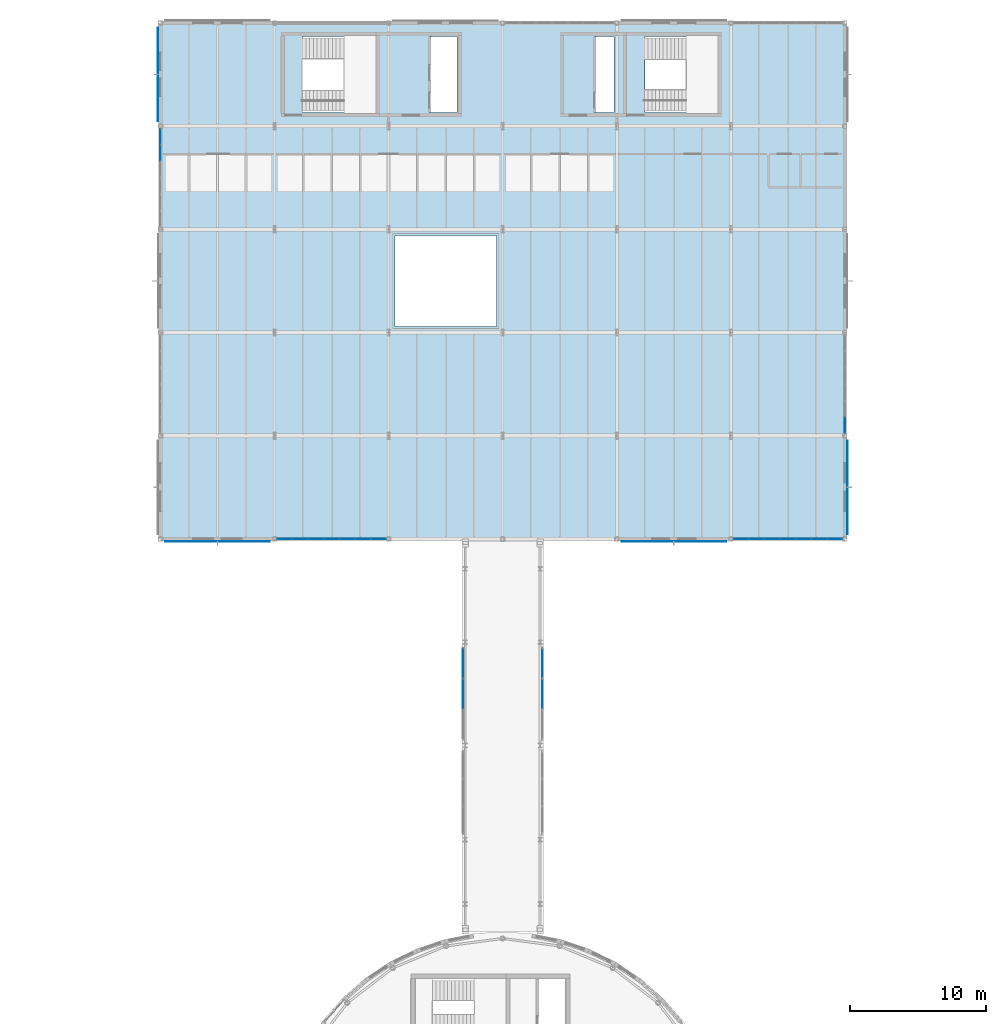
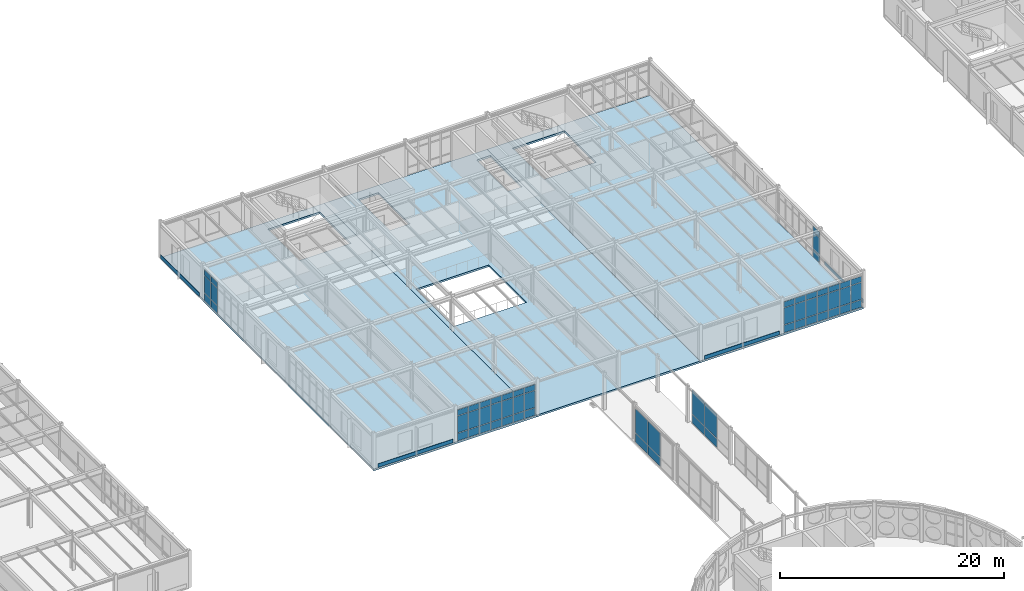
# One storey, part 127 of 165: 63 plates, 3 slabs, 6 elements without a shape of their own.
"""IFC4 building model written with IfcOpenShell, lengths in metres."""

from ifc_helpers import new_model, si_unit, direction, frame, origin, origin_2d, place, context, subcontext, project, spatial, polyline, rectangle, outline, extrude, material, layer, layer_set, type_object, element, aggregate, save


model = new_model("IFC4")

# Units and contexts
model_context = context("Model", 3, precision=1e-05, world=origin(), true_north=direction((0.0, 1.0)))
body_context = subcontext(model_context, "Body", "Model", "MODEL_VIEW")
ifc_project = project(units=[si_unit("LENGTHUNIT", "METRE"), si_unit("AREAUNIT", "SQUARE_METRE"), si_unit("VOLUMEUNIT", "CUBIC_METRE"), si_unit("PLANEANGLEUNIT", "RADIAN"), si_unit("MASSUNIT", "GRAM", prefix="KILO")], contexts=[model_context])

# Site, building, storey
site_placement = place(None, origin())
site = spatial("IfcSite", under=ifc_project, at=site_placement, CompositionType="ELEMENT")
building_placement = place(site_placement, origin())
building = spatial("IfcBuilding", under=site, at=building_placement, Name="Montecoro Central Library", CompositionType="ELEMENT")
storey_placement = place(building_placement, frame((0.0, 0.0, 5.10009765625)))
storey = spatial("IfcBuildingStorey", under=building, at=storey_placement, Name="L01", CompositionType="ELEMENT", Elevation=5.10009765625)

# Curtain wall, plates
ifc_material_1 = material(Name="Bronze-anodised aluminium and low-E glazing", Category="aluminium")
ifc_layer_1 = layer(ifc_material_1, 0.159912109375)
ifc_layer_set_1 = layer_set([ifc_layer_1], Name="Bronze-anodised aluminium and low-E glazing")
curtain_wall_type_1 = type_object("IfcCurtainWallType", Name="CWT-013", PredefinedType="NOTDEFINED", material=ifc_layer_set_1)
curtain_wall_1_placement = place(storey_placement, origin())
curtain_wall_1 = element("IfcCurtainWall", 1, at=curtain_wall_1_placement, inside=storey, type_object=curtain_wall_type_1, Name="V2-L01-CW-W3", PredefinedType="NOTDEFINED")
ifc_material_2 = material(Name="Laminated low-E double glazing", Category="glass")
ifc_layer_2 = layer(ifc_material_2, 0.02587890625)
ifc_layer_set_2 = layer_set([ifc_layer_2], Name="Laminated low-E double glazing")
plate_type_1 = type_object("IfcPlateType", Name="CWP-GLZ-01", PredefinedType="CURTAIN_PANEL", material=ifc_layer_set_2)
plate_1_placement = place(storey_placement, frame((66.39990234375, 110.624267578125, 0.059814453125), z_axis=(0.0, 0.0, 1.0), x_axis=(0.0, -1.0, 0.0)))
plate_1 = element("IfcPlate", 2, at=plate_1_placement, type_object=plate_type_1, Name="CW-013 panel 1.1", PredefinedType="CURTAIN_PANEL", context=body_context, shape_type="SweptSolid", body=[
    extrude(rectangle(XDim=1.125732421875, YDim=0.02587890625, at=origin_2d()), origin(), (0.0, 0.0, 1.0), 0.81005859375),
])
plate_2_placement = place(storey_placement, frame((66.39990234375, 110.624267578125, 0.9296875), z_axis=(0.0, 0.0, 1.0), x_axis=(0.0, -1.0, 0.0)))
plate_2 = element("IfcPlate", 3, at=plate_2_placement, type_object=plate_type_1, Name="CW-013 panel 1.2", PredefinedType="CURTAIN_PANEL", context=body_context, shape_type="SweptSolid", body=[
    extrude(rectangle(XDim=1.125732421875, YDim=0.02587890625, at=origin_2d()), origin(), (0.0, 0.0, 1.0), 1.820068359375),
])
plate_3_placement = place(storey_placement, frame((66.39990234375, 110.624267578125, 2.81005859375), z_axis=(0.0, 0.0, 1.0), x_axis=(0.0, -1.0, 0.0)))
plate_3 = element("IfcPlate", 4, at=plate_3_placement, type_object=plate_type_1, Name="CW-013 panel 1.3", PredefinedType="CURTAIN_PANEL", context=body_context, shape_type="SweptSolid", body=[
    extrude(rectangle(XDim=1.125732421875, YDim=0.02587890625, at=origin_2d()), origin(), (0.0, 0.0, 1.0), 0.610107421875),
])
plate_4_placement = place(storey_placement, frame((66.39990234375, 109.423583984375, 0.059814453125), z_axis=(0.0, 0.0, 1.0), x_axis=(0.0, -1.0, 0.0)))
plate_4 = element("IfcPlate", 5, at=plate_4_placement, type_object=plate_type_1, Name="CW-013 panel 2.1", PredefinedType="CURTAIN_PANEL", context=body_context, shape_type="SweptSolid", body=[
    extrude(rectangle(XDim=1.15576171875, YDim=0.02587890625, at=origin_2d()), origin(), (0.0, 0.0, 1.0), 0.81005859375),
])
plate_5_placement = place(storey_placement, frame((66.39990234375, 109.423583984375, 0.9296875), z_axis=(0.0, 0.0, 1.0), x_axis=(0.0, -1.0, 0.0)))
plate_5 = element("IfcPlate", 6, at=plate_5_placement, type_object=plate_type_1, Name="CW-013 panel 2.2", PredefinedType="CURTAIN_PANEL", context=body_context, shape_type="SweptSolid", body=[
    extrude(rectangle(XDim=1.15576171875, YDim=0.02587890625, at=origin_2d()), origin(), (0.0, 0.0, 1.0), 1.820068359375),
])
plate_6_placement = place(storey_placement, frame((66.39990234375, 109.423583984375, 2.81005859375), z_axis=(0.0, 0.0, 1.0), x_axis=(0.0, -1.0, 0.0)))
plate_6 = element("IfcPlate", 7, at=plate_6_placement, type_object=plate_type_1, Name="CW-013 panel 2.3", PredefinedType="CURTAIN_PANEL", context=body_context, shape_type="SweptSolid", body=[
    extrude(rectangle(XDim=1.15576171875, YDim=0.02587890625, at=origin_2d()), origin(), (0.0, 0.0, 1.0), 0.610107421875),
])
aggregate(curtain_wall_1, [plate_1, plate_2, plate_3, plate_4, plate_5, plate_6])

ifc_layer_3 = layer(ifc_material_1, 0.159912109375)
ifc_layer_set_3 = layer_set([ifc_layer_3], Name="Bronze-anodised aluminium and low-E glazing")
curtain_wall_type_2 = type_object("IfcCurtainWallType", Name="CWT-076", PredefinedType="NOTDEFINED", material=ifc_layer_set_3)
curtain_wall_2_placement = place(storey_placement, origin())
curtain_wall_2 = element("IfcCurtainWall", 8, at=curtain_wall_2_placement, inside=storey, type_object=curtain_wall_type_2, Name="BR-N-L01-CW-W2", PredefinedType="NOTDEFINED")
plate_7_placement = place(storey_placement, frame((88.679931640625, 69.60009765625, 0.059814453125), z_axis=(0.0, 0.0, 1.0), x_axis=(0.0, 1.0, 0.0)))
plate_7 = element("IfcPlate", 9, at=plate_7_placement, type_object=plate_type_1, Name="CW-076 panel 2.1", PredefinedType="CURTAIN_PANEL", context=body_context, shape_type="SweptSolid", body=[
    extrude(rectangle(XDim=2.193359375, YDim=0.02587890625, at=origin_2d()), origin(), (0.0, 0.0, 1.0), 0.9599609375),
])
plate_8_placement = place(storey_placement, frame((88.679931640625, 69.60009765625, 1.080078125), z_axis=(0.0, 0.0, 1.0), x_axis=(0.0, 1.0, 0.0)))
plate_8 = element("IfcPlate", 10, at=plate_8_placement, type_object=plate_type_1, Name="CW-076 panel 2.2", PredefinedType="CURTAIN_PANEL", context=body_context, shape_type="SweptSolid", body=[
    extrude(rectangle(XDim=2.193359375, YDim=0.02587890625, at=origin_2d()), origin(), (0.0, 0.0, 1.0), 2.590087890625),
])
plate_9_placement = place(storey_placement, frame((88.679931640625, 71.83837890625, 0.059814453125), z_axis=(0.0, 0.0, 1.0), x_axis=(0.0, 1.0, 0.0)))
plate_9 = element("IfcPlate", 11, at=plate_9_placement, type_object=plate_type_1, Name="CW-076 panel 3.1", PredefinedType="CURTAIN_PANEL", context=body_context, shape_type="SweptSolid", body=[
    extrude(rectangle(XDim=2.163330078125, YDim=0.02587890625, at=origin_2d()), origin(), (0.0, 0.0, 1.0), 0.9599609375),
])
plate_10_placement = place(storey_placement, frame((88.679931640625, 71.83837890625, 1.080078125), z_axis=(0.0, 0.0, 1.0), x_axis=(0.0, 1.0, 0.0)))
plate_10 = element("IfcPlate", 12, at=plate_10_placement, type_object=plate_type_1, Name="CW-076 panel 3.2", PredefinedType="CURTAIN_PANEL", context=body_context, shape_type="SweptSolid", body=[
    extrude(rectangle(XDim=2.163330078125, YDim=0.02587890625, at=origin_2d()), origin(), (0.0, 0.0, 1.0), 2.590087890625),
])
aggregate(curtain_wall_2, [plate_7, plate_8, plate_9, plate_10])

curtain_wall_3_placement = place(storey_placement, origin())
curtain_wall_3 = element("IfcCurtainWall", 13, at=curtain_wall_3_placement, inside=storey, type_object=curtain_wall_type_2, Name="BR-N-L01-CW-E2", PredefinedType="NOTDEFINED")
plate_11_placement = place(storey_placement, frame((94.52001953125, 69.60009765625, 0.059814453125), z_axis=(0.0, 0.0, 1.0), x_axis=(0.0, 1.0, 0.0)))
plate_11 = element("IfcPlate", 14, at=plate_11_placement, type_object=plate_type_1, Name="CW-076 panel 2.1", PredefinedType="CURTAIN_PANEL", context=body_context, shape_type="SweptSolid", body=[
    extrude(rectangle(XDim=2.193359375, YDim=0.02587890625, at=origin_2d()), origin(), (0.0, 0.0, 1.0), 0.9599609375),
])
plate_12_placement = place(storey_placement, frame((94.52001953125, 69.60009765625, 1.080078125), z_axis=(0.0, 0.0, 1.0), x_axis=(0.0, 1.0, 0.0)))
plate_12 = element("IfcPlate", 15, at=plate_12_placement, type_object=plate_type_1, Name="CW-076 panel 2.2", PredefinedType="CURTAIN_PANEL", context=body_context, shape_type="SweptSolid", body=[
    extrude(rectangle(XDim=2.193359375, YDim=0.02587890625, at=origin_2d()), origin(), (0.0, 0.0, 1.0), 2.590087890625),
])
plate_13_placement = place(storey_placement, frame((94.52001953125, 71.83837890625, 0.059814453125), z_axis=(0.0, 0.0, 1.0), x_axis=(0.0, 1.0, 0.0)))
plate_13 = element("IfcPlate", 16, at=plate_13_placement, type_object=plate_type_1, Name="CW-076 panel 3.1", PredefinedType="CURTAIN_PANEL", context=body_context, shape_type="SweptSolid", body=[
    extrude(rectangle(XDim=2.163330078125, YDim=0.02587890625, at=origin_2d()), origin(), (0.0, 0.0, 1.0), 0.9599609375),
])
plate_14_placement = place(storey_placement, frame((94.52001953125, 71.83837890625, 1.080078125), z_axis=(0.0, 0.0, 1.0), x_axis=(0.0, 1.0, 0.0)))
plate_14 = element("IfcPlate", 17, at=plate_14_placement, type_object=plate_type_1, Name="CW-076 panel 3.2", PredefinedType="CURTAIN_PANEL", context=body_context, shape_type="SweptSolid", body=[
    extrude(rectangle(XDim=2.163330078125, YDim=0.02587890625, at=origin_2d()), origin(), (0.0, 0.0, 1.0), 2.590087890625),
])
aggregate(curtain_wall_3, [plate_11, plate_12, plate_13, plate_14])

ifc_layer_4 = layer(ifc_material_1, 0.159912109375)
ifc_layer_set_4 = layer_set([ifc_layer_4], Name="Bronze-anodised aluminium and low-E glazing")
curtain_wall_type_3 = type_object("IfcCurtainWallType", Name="CWT-010", PredefinedType="NOTDEFINED", material=ifc_layer_set_4)
curtain_wall_4_placement = place(storey_placement, origin())
curtain_wall_4 = element("IfcCurtainWall", 18, at=curtain_wall_4_placement, inside=storey, type_object=curtain_wall_type_3, Name="V2-L01-CW-S5", PredefinedType="NOTDEFINED")
ifc_layer_5 = layer(ifc_material_2, 0.033935546875)
ifc_layer_set_5 = layer_set([ifc_layer_5], Name="Laminated low-E double glazing")
plate_type_2 = type_object("IfcPlateType", Name="CWP-GLZ-03", PredefinedType="CURTAIN_PANEL", material=ifc_layer_set_5)
plate_15_placement = place(storey_placement, frame((109.146240234375, 81.0, 0.059814453125), z_axis=(0.0, 0.0, 1.0), x_axis=(1.0, 0.0, 0.0)))
plate_15 = element("IfcPlate", 19, at=plate_15_placement, type_object=plate_type_2, Name="CW-010 panel 1.1", PredefinedType="CURTAIN_PANEL", context=body_context, shape_type="SweptSolid", body=[
    extrude(rectangle(XDim=1.06640625, YDim=0.033935546875, at=origin_2d()), origin(), (0.0, 0.0, 1.0), 0.81005859375),
])
plate_16_placement = place(storey_placement, frame((109.146240234375, 81.0, 0.9296875), z_axis=(0.0, 0.0, 1.0), x_axis=(1.0, 0.0, 0.0)))
plate_16 = element("IfcPlate", 20, at=plate_16_placement, type_object=plate_type_2, Name="CW-010 panel 1.2", PredefinedType="CURTAIN_PANEL", context=body_context, shape_type="SweptSolid", body=[
    extrude(rectangle(XDim=1.06640625, YDim=0.033935546875, at=origin_2d()), origin(), (0.0, 0.0, 1.0), 1.820068359375),
])
plate_17_placement = place(storey_placement, frame((109.146240234375, 81.0, 2.81005859375), z_axis=(0.0, 0.0, 1.0), x_axis=(1.0, 0.0, 0.0)))
plate_17 = element("IfcPlate", 21, at=plate_17_placement, type_object=plate_type_2, Name="CW-010 panel 1.3", PredefinedType="CURTAIN_PANEL", context=body_context, shape_type="SweptSolid", body=[
    extrude(rectangle(XDim=1.06640625, YDim=0.033935546875, at=origin_2d()), origin(), (0.0, 0.0, 1.0), 0.610107421875),
])
plate_18_placement = place(storey_placement, frame((110.287353515625, 81.0, 0.059814453125), z_axis=(0.0, 0.0, 1.0), x_axis=(1.0, 0.0, 0.0)))
plate_18 = element("IfcPlate", 22, at=plate_18_placement, type_object=plate_type_2, Name="CW-010 panel 2.1", PredefinedType="CURTAIN_PANEL", context=body_context, shape_type="SweptSolid", body=[
    extrude(rectangle(XDim=1.09619140625, YDim=0.033935546875, at=origin_2d()), origin(), (0.0, 0.0, 1.0), 0.81005859375),
])
plate_19_placement = place(storey_placement, frame((110.287353515625, 81.0, 0.9296875), z_axis=(0.0, 0.0, 1.0), x_axis=(1.0, 0.0, 0.0)))
plate_19 = element("IfcPlate", 23, at=plate_19_placement, type_object=plate_type_2, Name="CW-010 panel 2.2", PredefinedType="CURTAIN_PANEL", context=body_context, shape_type="SweptSolid", body=[
    extrude(rectangle(XDim=1.09619140625, YDim=0.033935546875, at=origin_2d()), origin(), (0.0, 0.0, 1.0), 1.820068359375),
])
plate_20_placement = place(storey_placement, frame((110.287353515625, 81.0, 2.81005859375), z_axis=(0.0, 0.0, 1.0), x_axis=(1.0, 0.0, 0.0)))
plate_20 = element("IfcPlate", 24, at=plate_20_placement, type_object=plate_type_2, Name="CW-010 panel 2.3", PredefinedType="CURTAIN_PANEL", context=body_context, shape_type="SweptSolid", body=[
    extrude(rectangle(XDim=1.09619140625, YDim=0.033935546875, at=origin_2d()), origin(), (0.0, 0.0, 1.0), 0.610107421875),
])
plate_21_placement = place(storey_placement, frame((111.443603515625, 81.0, 0.059814453125), z_axis=(0.0, 0.0, 1.0), x_axis=(1.0, 0.0, 0.0)))
plate_21 = element("IfcPlate", 25, at=plate_21_placement, type_object=plate_type_2, Name="CW-010 panel 3.1", PredefinedType="CURTAIN_PANEL", context=body_context, shape_type="SweptSolid", body=[
    extrude(rectangle(XDim=1.09619140625, YDim=0.033935546875, at=origin_2d()), origin(), (0.0, 0.0, 1.0), 0.81005859375),
])
plate_22_placement = place(storey_placement, frame((111.443603515625, 81.0, 0.9296875), z_axis=(0.0, 0.0, 1.0), x_axis=(1.0, 0.0, 0.0)))
plate_22 = element("IfcPlate", 26, at=plate_22_placement, type_object=plate_type_2, Name="CW-010 panel 3.2", PredefinedType="CURTAIN_PANEL", context=body_context, shape_type="SweptSolid", body=[
    extrude(rectangle(XDim=1.09619140625, YDim=0.033935546875, at=origin_2d()), origin(), (0.0, 0.0, 1.0), 1.820068359375),
])
plate_23_placement = place(storey_placement, frame((111.443603515625, 81.0, 2.81005859375), z_axis=(0.0, 0.0, 1.0), x_axis=(1.0, 0.0, 0.0)))
plate_23 = element("IfcPlate", 27, at=plate_23_placement, type_object=plate_type_2, Name="CW-010 panel 3.3", PredefinedType="CURTAIN_PANEL", context=body_context, shape_type="SweptSolid", body=[
    extrude(rectangle(XDim=1.09619140625, YDim=0.033935546875, at=origin_2d()), origin(), (0.0, 0.0, 1.0), 0.610107421875),
])
plate_24_placement = place(storey_placement, frame((112.60009765625, 81.0, 0.059814453125), z_axis=(0.0, 0.0, 1.0), x_axis=(1.0, 0.0, 0.0)))
plate_24 = element("IfcPlate", 28, at=plate_24_placement, type_object=plate_type_2, Name="CW-010 panel 4.1", PredefinedType="CURTAIN_PANEL", context=body_context, shape_type="SweptSolid", body=[
    extrude(rectangle(XDim=1.09619140625, YDim=0.033935546875, at=origin_2d()), origin(), (0.0, 0.0, 1.0), 0.81005859375),
])
plate_25_placement = place(storey_placement, frame((112.60009765625, 81.0, 0.9296875), z_axis=(0.0, 0.0, 1.0), x_axis=(1.0, 0.0, 0.0)))
plate_25 = element("IfcPlate", 29, at=plate_25_placement, type_object=plate_type_2, Name="CW-010 panel 4.2", PredefinedType="CURTAIN_PANEL", context=body_context, shape_type="SweptSolid", body=[
    extrude(rectangle(XDim=1.09619140625, YDim=0.033935546875, at=origin_2d()), origin(), (0.0, 0.0, 1.0), 1.820068359375),
])
plate_26_placement = place(storey_placement, frame((112.60009765625, 81.0, 2.81005859375), z_axis=(0.0, 0.0, 1.0), x_axis=(1.0, 0.0, 0.0)))
plate_26 = element("IfcPlate", 30, at=plate_26_placement, type_object=plate_type_2, Name="CW-010 panel 4.3", PredefinedType="CURTAIN_PANEL", context=body_context, shape_type="SweptSolid", body=[
    extrude(rectangle(XDim=1.09619140625, YDim=0.033935546875, at=origin_2d()), origin(), (0.0, 0.0, 1.0), 0.610107421875),
])
plate_27_placement = place(storey_placement, frame((113.75634765625, 81.0, 0.059814453125), z_axis=(0.0, 0.0, 1.0), x_axis=(1.0, 0.0, 0.0)))
plate_27 = element("IfcPlate", 31, at=plate_27_placement, type_object=plate_type_2, Name="CW-010 panel 5.1", PredefinedType="CURTAIN_PANEL", context=body_context, shape_type="SweptSolid", body=[
    extrude(rectangle(XDim=1.09619140625, YDim=0.033935546875, at=origin_2d()), origin(), (0.0, 0.0, 1.0), 0.81005859375),
])
plate_28_placement = place(storey_placement, frame((113.75634765625, 81.0, 0.9296875), z_axis=(0.0, 0.0, 1.0), x_axis=(1.0, 0.0, 0.0)))
plate_28 = element("IfcPlate", 32, at=plate_28_placement, type_object=plate_type_2, Name="CW-010 panel 5.2", PredefinedType="CURTAIN_PANEL", context=body_context, shape_type="SweptSolid", body=[
    extrude(rectangle(XDim=1.09619140625, YDim=0.033935546875, at=origin_2d()), origin(), (0.0, 0.0, 1.0), 1.820068359375),
])
plate_29_placement = place(storey_placement, frame((113.75634765625, 81.0, 2.81005859375), z_axis=(0.0, 0.0, 1.0), x_axis=(1.0, 0.0, 0.0)))
plate_29 = element("IfcPlate", 33, at=plate_29_placement, type_object=plate_type_2, Name="CW-010 panel 5.3", PredefinedType="CURTAIN_PANEL", context=body_context, shape_type="SweptSolid", body=[
    extrude(rectangle(XDim=1.09619140625, YDim=0.033935546875, at=origin_2d()), origin(), (0.0, 0.0, 1.0), 0.610107421875),
])
plate_30_placement = place(storey_placement, frame((114.91259765625, 81.0, 0.059814453125), z_axis=(0.0, 0.0, 1.0), x_axis=(1.0, 0.0, 0.0)))
plate_30 = element("IfcPlate", 34, at=plate_30_placement, type_object=plate_type_2, Name="CW-010 panel 6.1", PredefinedType="CURTAIN_PANEL", context=body_context, shape_type="SweptSolid", body=[
    extrude(rectangle(XDim=1.09619140625, YDim=0.033935546875, at=origin_2d()), origin(), (0.0, 0.0, 1.0), 0.81005859375),
])
plate_31_placement = place(storey_placement, frame((114.91259765625, 81.0, 0.9296875), z_axis=(0.0, 0.0, 1.0), x_axis=(1.0, 0.0, 0.0)))
plate_31 = element("IfcPlate", 35, at=plate_31_placement, type_object=plate_type_2, Name="CW-010 panel 6.2", PredefinedType="CURTAIN_PANEL", context=body_context, shape_type="SweptSolid", body=[
    extrude(rectangle(XDim=1.09619140625, YDim=0.033935546875, at=origin_2d()), origin(), (0.0, 0.0, 1.0), 1.820068359375),
])
plate_32_placement = place(storey_placement, frame((114.91259765625, 81.0, 2.81005859375), z_axis=(0.0, 0.0, 1.0), x_axis=(1.0, 0.0, 0.0)))
plate_32 = element("IfcPlate", 36, at=plate_32_placement, type_object=plate_type_2, Name="CW-010 panel 6.3", PredefinedType="CURTAIN_PANEL", context=body_context, shape_type="SweptSolid", body=[
    extrude(rectangle(XDim=1.09619140625, YDim=0.033935546875, at=origin_2d()), origin(), (0.0, 0.0, 1.0), 0.610107421875),
])
plate_33_placement = place(storey_placement, frame((116.053955078125, 81.0, 0.059814453125), z_axis=(0.0, 0.0, 1.0), x_axis=(1.0, 0.0, 0.0)))
plate_33 = element("IfcPlate", 37, at=plate_33_placement, type_object=plate_type_2, Name="CW-010 panel 7.1", PredefinedType="CURTAIN_PANEL", context=body_context, shape_type="SweptSolid", body=[
    extrude(rectangle(XDim=1.06640625, YDim=0.033935546875, at=origin_2d()), origin(), (0.0, 0.0, 1.0), 0.81005859375),
])
plate_34_placement = place(storey_placement, frame((116.053955078125, 81.0, 0.9296875), z_axis=(0.0, 0.0, 1.0), x_axis=(1.0, 0.0, 0.0)))
plate_34 = element("IfcPlate", 38, at=plate_34_placement, type_object=plate_type_2, Name="CW-010 panel 7.2", PredefinedType="CURTAIN_PANEL", context=body_context, shape_type="SweptSolid", body=[
    extrude(rectangle(XDim=1.06640625, YDim=0.033935546875, at=origin_2d()), origin(), (0.0, 0.0, 1.0), 1.820068359375),
])
plate_35_placement = place(storey_placement, frame((116.053955078125, 81.0, 2.81005859375), z_axis=(0.0, 0.0, 1.0), x_axis=(1.0, 0.0, 0.0)))
plate_35 = element("IfcPlate", 39, at=plate_35_placement, type_object=plate_type_2, Name="CW-010 panel 7.3", PredefinedType="CURTAIN_PANEL", context=body_context, shape_type="SweptSolid", body=[
    extrude(rectangle(XDim=1.06640625, YDim=0.033935546875, at=origin_2d()), origin(), (0.0, 0.0, 1.0), 0.610107421875),
])
aggregate(curtain_wall_4, [plate_15, plate_16, plate_17, plate_18, plate_19, plate_20, plate_21, plate_22, plate_23, plate_24, plate_25, plate_26, plate_27, plate_28, plate_29, plate_30, plate_31, plate_32, plate_33, plate_34, plate_35])

curtain_wall_5_placement = place(storey_placement, origin())
curtain_wall_5 = element("IfcCurtainWall", 40, at=curtain_wall_5_placement, inside=storey, type_object=curtain_wall_type_3, Name="V2-L01-CW-S1", PredefinedType="NOTDEFINED")
ifc_layer_6 = layer(ifc_material_2, 0.0380859375)
ifc_layer_set_6 = layer_set([ifc_layer_6], Name="Laminated low-E double glazing")
plate_type_3 = type_object("IfcPlateType", Name="CWP-GLZ-04", PredefinedType="CURTAIN_PANEL", material=ifc_layer_set_6)
plate_36_placement = place(storey_placement, frame((75.546142578125, 81.0, 0.059814453125), z_axis=(0.0, 0.0, 1.0), x_axis=(1.0, 0.0, 0.0)))
plate_36 = element("IfcPlate", 41, at=plate_36_placement, type_object=plate_type_3, Name="CW-010 panel 1.1", PredefinedType="CURTAIN_PANEL", context=body_context, shape_type="SweptSolid", body=[
    extrude(rectangle(XDim=1.06640625, YDim=0.0380859375, at=origin_2d()), origin(), (0.0, 0.0, 1.0), 0.81005859375),
])
plate_37_placement = place(storey_placement, frame((75.546142578125, 81.0, 0.9296875), z_axis=(0.0, 0.0, 1.0), x_axis=(1.0, 0.0, 0.0)))
plate_37 = element("IfcPlate", 42, at=plate_37_placement, type_object=plate_type_3, Name="CW-010 panel 1.2", PredefinedType="CURTAIN_PANEL", context=body_context, shape_type="SweptSolid", body=[
    extrude(rectangle(XDim=1.06640625, YDim=0.0380859375, at=origin_2d()), origin(), (0.0, 0.0, 1.0), 1.820068359375),
])
plate_38_placement = place(storey_placement, frame((75.546142578125, 81.0, 2.81005859375), z_axis=(0.0, 0.0, 1.0), x_axis=(1.0, 0.0, 0.0)))
plate_38 = element("IfcPlate", 43, at=plate_38_placement, type_object=plate_type_3, Name="CW-010 panel 1.3", PredefinedType="CURTAIN_PANEL", context=body_context, shape_type="SweptSolid", body=[
    extrude(rectangle(XDim=1.06640625, YDim=0.0380859375, at=origin_2d()), origin(), (0.0, 0.0, 1.0), 0.610107421875),
])
plate_39_placement = place(storey_placement, frame((76.6875, 81.0, 0.059814453125), z_axis=(0.0, 0.0, 1.0), x_axis=(1.0, 0.0, 0.0)))
plate_39 = element("IfcPlate", 44, at=plate_39_placement, type_object=plate_type_3, Name="CW-010 panel 2.1", PredefinedType="CURTAIN_PANEL", context=body_context, shape_type="SweptSolid", body=[
    extrude(rectangle(XDim=1.09619140625, YDim=0.0380859375, at=origin_2d()), origin(), (0.0, 0.0, 1.0), 0.81005859375),
])
plate_40_placement = place(storey_placement, frame((76.6875, 81.0, 0.9296875), z_axis=(0.0, 0.0, 1.0), x_axis=(1.0, 0.0, 0.0)))
plate_40 = element("IfcPlate", 45, at=plate_40_placement, type_object=plate_type_3, Name="CW-010 panel 2.2", PredefinedType="CURTAIN_PANEL", context=body_context, shape_type="SweptSolid", body=[
    extrude(rectangle(XDim=1.09619140625, YDim=0.0380859375, at=origin_2d()), origin(), (0.0, 0.0, 1.0), 1.820068359375),
])
plate_41_placement = place(storey_placement, frame((76.6875, 81.0, 2.81005859375), z_axis=(0.0, 0.0, 1.0), x_axis=(1.0, 0.0, 0.0)))
plate_41 = element("IfcPlate", 46, at=plate_41_placement, type_object=plate_type_3, Name="CW-010 panel 2.3", PredefinedType="CURTAIN_PANEL", context=body_context, shape_type="SweptSolid", body=[
    extrude(rectangle(XDim=1.09619140625, YDim=0.0380859375, at=origin_2d()), origin(), (0.0, 0.0, 1.0), 0.610107421875),
])
plate_42_placement = place(storey_placement, frame((77.84375, 81.0, 0.059814453125), z_axis=(0.0, 0.0, 1.0), x_axis=(1.0, 0.0, 0.0)))
plate_42 = element("IfcPlate", 47, at=plate_42_placement, type_object=plate_type_3, Name="CW-010 panel 3.1", PredefinedType="CURTAIN_PANEL", context=body_context, shape_type="SweptSolid", body=[
    extrude(rectangle(XDim=1.09619140625, YDim=0.0380859375, at=origin_2d()), origin(), (0.0, 0.0, 1.0), 0.81005859375),
])
plate_43_placement = place(storey_placement, frame((77.84375, 81.0, 0.9296875), z_axis=(0.0, 0.0, 1.0), x_axis=(1.0, 0.0, 0.0)))
plate_43 = element("IfcPlate", 48, at=plate_43_placement, type_object=plate_type_3, Name="CW-010 panel 3.2", PredefinedType="CURTAIN_PANEL", context=body_context, shape_type="SweptSolid", body=[
    extrude(rectangle(XDim=1.09619140625, YDim=0.0380859375, at=origin_2d()), origin(), (0.0, 0.0, 1.0), 1.820068359375),
])
plate_44_placement = place(storey_placement, frame((77.84375, 81.0, 2.81005859375), z_axis=(0.0, 0.0, 1.0), x_axis=(1.0, 0.0, 0.0)))
plate_44 = element("IfcPlate", 49, at=plate_44_placement, type_object=plate_type_3, Name="CW-010 panel 3.3", PredefinedType="CURTAIN_PANEL", context=body_context, shape_type="SweptSolid", body=[
    extrude(rectangle(XDim=1.09619140625, YDim=0.0380859375, at=origin_2d()), origin(), (0.0, 0.0, 1.0), 0.610107421875),
])
plate_45_placement = place(storey_placement, frame((79.0, 81.0, 0.059814453125), z_axis=(0.0, 0.0, 1.0), x_axis=(1.0, 0.0, 0.0)))
plate_45 = element("IfcPlate", 50, at=plate_45_placement, type_object=plate_type_3, Name="CW-010 panel 4.1", PredefinedType="CURTAIN_PANEL", context=body_context, shape_type="SweptSolid", body=[
    extrude(rectangle(XDim=1.09619140625, YDim=0.0380859375, at=origin_2d()), origin(), (0.0, 0.0, 1.0), 0.81005859375),
])
plate_46_placement = place(storey_placement, frame((79.0, 81.0, 0.9296875), z_axis=(0.0, 0.0, 1.0), x_axis=(1.0, 0.0, 0.0)))
plate_46 = element("IfcPlate", 51, at=plate_46_placement, type_object=plate_type_3, Name="CW-010 panel 4.2", PredefinedType="CURTAIN_PANEL", context=body_context, shape_type="SweptSolid", body=[
    extrude(rectangle(XDim=1.09619140625, YDim=0.0380859375, at=origin_2d()), origin(), (0.0, 0.0, 1.0), 1.820068359375),
])
plate_47_placement = place(storey_placement, frame((79.0, 81.0, 2.81005859375), z_axis=(0.0, 0.0, 1.0), x_axis=(1.0, 0.0, 0.0)))
plate_47 = element("IfcPlate", 52, at=plate_47_placement, type_object=plate_type_3, Name="CW-010 panel 4.3", PredefinedType="CURTAIN_PANEL", context=body_context, shape_type="SweptSolid", body=[
    extrude(rectangle(XDim=1.09619140625, YDim=0.0380859375, at=origin_2d()), origin(), (0.0, 0.0, 1.0), 0.610107421875),
])
plate_48_placement = place(storey_placement, frame((80.15625, 81.0, 0.059814453125), z_axis=(0.0, 0.0, 1.0), x_axis=(1.0, 0.0, 0.0)))
plate_48 = element("IfcPlate", 53, at=plate_48_placement, type_object=plate_type_3, Name="CW-010 panel 5.1", PredefinedType="CURTAIN_PANEL", context=body_context, shape_type="SweptSolid", body=[
    extrude(rectangle(XDim=1.09619140625, YDim=0.0380859375, at=origin_2d()), origin(), (0.0, 0.0, 1.0), 0.81005859375),
])
plate_49_placement = place(storey_placement, frame((80.15625, 81.0, 0.9296875), z_axis=(0.0, 0.0, 1.0), x_axis=(1.0, 0.0, 0.0)))
plate_49 = element("IfcPlate", 54, at=plate_49_placement, type_object=plate_type_3, Name="CW-010 panel 5.2", PredefinedType="CURTAIN_PANEL", context=body_context, shape_type="SweptSolid", body=[
    extrude(rectangle(XDim=1.09619140625, YDim=0.0380859375, at=origin_2d()), origin(), (0.0, 0.0, 1.0), 1.820068359375),
])
plate_50_placement = place(storey_placement, frame((80.15625, 81.0, 2.81005859375), z_axis=(0.0, 0.0, 1.0), x_axis=(1.0, 0.0, 0.0)))
plate_50 = element("IfcPlate", 55, at=plate_50_placement, type_object=plate_type_3, Name="CW-010 panel 5.3", PredefinedType="CURTAIN_PANEL", context=body_context, shape_type="SweptSolid", body=[
    extrude(rectangle(XDim=1.09619140625, YDim=0.0380859375, at=origin_2d()), origin(), (0.0, 0.0, 1.0), 0.610107421875),
])
plate_51_placement = place(storey_placement, frame((81.3125, 81.0, 0.059814453125), z_axis=(0.0, 0.0, 1.0), x_axis=(1.0, 0.0, 0.0)))
plate_51 = element("IfcPlate", 56, at=plate_51_placement, type_object=plate_type_3, Name="CW-010 panel 6.1", PredefinedType="CURTAIN_PANEL", context=body_context, shape_type="SweptSolid", body=[
    extrude(rectangle(XDim=1.09619140625, YDim=0.0380859375, at=origin_2d()), origin(), (0.0, 0.0, 1.0), 0.81005859375),
])
plate_52_placement = place(storey_placement, frame((81.3125, 81.0, 0.9296875), z_axis=(0.0, 0.0, 1.0), x_axis=(1.0, 0.0, 0.0)))
plate_52 = element("IfcPlate", 57, at=plate_52_placement, type_object=plate_type_3, Name="CW-010 panel 6.2", PredefinedType="CURTAIN_PANEL", context=body_context, shape_type="SweptSolid", body=[
    extrude(rectangle(XDim=1.09619140625, YDim=0.0380859375, at=origin_2d()), origin(), (0.0, 0.0, 1.0), 1.820068359375),
])
plate_53_placement = place(storey_placement, frame((81.3125, 81.0, 2.81005859375), z_axis=(0.0, 0.0, 1.0), x_axis=(1.0, 0.0, 0.0)))
plate_53 = element("IfcPlate", 58, at=plate_53_placement, type_object=plate_type_3, Name="CW-010 panel 6.3", PredefinedType="CURTAIN_PANEL", context=body_context, shape_type="SweptSolid", body=[
    extrude(rectangle(XDim=1.09619140625, YDim=0.0380859375, at=origin_2d()), origin(), (0.0, 0.0, 1.0), 0.610107421875),
])
plate_54_placement = place(storey_placement, frame((82.453857421875, 81.0, 0.059814453125), z_axis=(0.0, 0.0, 1.0), x_axis=(1.0, 0.0, 0.0)))
plate_54 = element("IfcPlate", 59, at=plate_54_placement, type_object=plate_type_3, Name="CW-010 panel 7.1", PredefinedType="CURTAIN_PANEL", context=body_context, shape_type="SweptSolid", body=[
    extrude(rectangle(XDim=1.06640625, YDim=0.0380859375, at=origin_2d()), origin(), (0.0, 0.0, 1.0), 0.81005859375),
])
plate_55_placement = place(storey_placement, frame((82.453857421875, 81.0, 0.9296875), z_axis=(0.0, 0.0, 1.0), x_axis=(1.0, 0.0, 0.0)))
plate_55 = element("IfcPlate", 60, at=plate_55_placement, type_object=plate_type_3, Name="CW-010 panel 7.2", PredefinedType="CURTAIN_PANEL", context=body_context, shape_type="SweptSolid", body=[
    extrude(rectangle(XDim=1.06640625, YDim=0.0380859375, at=origin_2d()), origin(), (0.0, 0.0, 1.0), 1.820068359375),
])
plate_56_placement = place(storey_placement, frame((82.453857421875, 81.0, 2.81005859375), z_axis=(0.0, 0.0, 1.0), x_axis=(1.0, 0.0, 0.0)))
plate_56 = element("IfcPlate", 61, at=plate_56_placement, type_object=plate_type_3, Name="CW-010 panel 7.3", PredefinedType="CURTAIN_PANEL", context=body_context, shape_type="SweptSolid", body=[
    extrude(rectangle(XDim=1.06640625, YDim=0.0380859375, at=origin_2d()), origin(), (0.0, 0.0, 1.0), 0.610107421875),
])
aggregate(curtain_wall_5, [plate_36, plate_37, plate_38, plate_39, plate_40, plate_41, plate_42, plate_43, plate_44, plate_45, plate_46, plate_47, plate_48, plate_49, plate_50, plate_51, plate_52, plate_53, plate_54, plate_55, plate_56])

ifc_layer_7 = layer(ifc_material_1, 0.159912109375)
ifc_layer_set_7 = layer_set([ifc_layer_7], Name="Bronze-anodised aluminium and low-E glazing")
curtain_wall_type_4 = type_object("IfcCurtainWallType", Name="CWT-011", PredefinedType="NOTDEFINED", material=ifc_layer_set_7)
curtain_wall_6_placement = place(storey_placement, origin())
curtain_wall_6 = element("IfcCurtainWall", 62, at=curtain_wall_6_placement, inside=storey, type_object=curtain_wall_type_4, Name="V2-L01-CW-E1", PredefinedType="NOTDEFINED")
plate_57_placement = place(storey_placement, frame((116.800048828125, 89.375732421875, 0.059814453125), z_axis=(0.0, 0.0, 1.0), x_axis=(0.0, 1.0, 0.0)))
plate_57 = element("IfcPlate", 63, at=plate_57_placement, type_object=plate_type_3, Name="CW-011 panel 1.1", PredefinedType="CURTAIN_PANEL", context=body_context, shape_type="SweptSolid", body=[
    extrude(rectangle(XDim=1.125732421875, YDim=0.0380859375, at=origin_2d()), origin(), (0.0, 0.0, 1.0), 0.81005859375),
])
plate_58_placement = place(storey_placement, frame((116.800048828125, 89.375732421875, 0.9296875), z_axis=(0.0, 0.0, 1.0), x_axis=(0.0, 1.0, 0.0)))
plate_58 = element("IfcPlate", 64, at=plate_58_placement, type_object=plate_type_3, Name="CW-011 panel 1.2", PredefinedType="CURTAIN_PANEL", context=body_context, shape_type="SweptSolid", body=[
    extrude(rectangle(XDim=1.125732421875, YDim=0.0380859375, at=origin_2d()), origin(), (0.0, 0.0, 1.0), 1.820068359375),
])
plate_59_placement = place(storey_placement, frame((116.800048828125, 89.375732421875, 2.81005859375), z_axis=(0.0, 0.0, 1.0), x_axis=(0.0, 1.0, 0.0)))
plate_59 = element("IfcPlate", 65, at=plate_59_placement, type_object=plate_type_3, Name="CW-011 panel 1.3", PredefinedType="CURTAIN_PANEL", context=body_context, shape_type="SweptSolid", body=[
    extrude(rectangle(XDim=1.125732421875, YDim=0.0380859375, at=origin_2d()), origin(), (0.0, 0.0, 1.0), 0.610107421875),
])
aggregate(curtain_wall_6, [plate_57, plate_58, plate_59])

# Plates
ifc_material_3 = material(Name="Architectural bronze spandrel plate", Category="aluminium")
ifc_layer_8 = layer(ifc_material_3, 0.035888671875)
ifc_layer_set_8 = layer_set([ifc_layer_8], Name="Architectural bronze spandrel plate")
plate_type_4 = type_object("IfcPlateType", Name="PLT-SPN-03", PredefinedType="SHEET", material=ifc_layer_set_8)
for number, where, z_axis, x_axis, name in (
    (66, (70.60009765625, 80.826904296875, 0.159912109375), (0.0, 0.0, 1.0), (1.0, 0.0, 0.0), "V2-L01-SPN-S0"),
    (67, (104.199951171875, 80.826904296875, 0.159912109375), (0.0, 0.0, 1.0), (1.0, 0.0, 0.0), "V2-L01-SPN-S4"),
):
    element("IfcPlate", number, at=place(storey_placement, frame(where, z_axis=z_axis, x_axis=x_axis)), inside=storey, type_object=plate_type_4, Name=name, PredefinedType="SHEET", context=body_context, shape_type="SweptSolid", body=[
        extrude(rectangle(XDim=7.694091796875, YDim=0.035888671875, at=origin_2d()), origin(), (0.0, 0.0, 1.0), 0.39990234375),
    ])
for number, where, z_axis, x_axis, name in (
    (68, (116.972900390625, 84.800048828125, 0.159912109375), (0.0, 0.0, 1.0), (0.0, 1.0, 0.0), "V2-L01-SPN-E0"),
    (69, (66.22705078125, 115.199951171875, 0.159912109375), (0.0, 0.0, 1.0), (0.0, -1.0, 0.0), "V2-L01-SPN-W4"),
):
    element("IfcPlate", number, at=place(storey_placement, frame(where, z_axis=z_axis, x_axis=x_axis)), inside=storey, type_object=plate_type_4, Name=name, PredefinedType="SHEET", context=body_context, shape_type="SweptSolid", body=[
        extrude(rectangle(XDim=6.89404296875, YDim=0.035888671875, at=origin_2d()), origin(), (0.0, 0.0, 1.0), 0.39990234375),
    ])

# Slabs
ifc_material_4 = material(Name="Concrete C32/40", Category="concrete")
ifc_layer_9 = layer(ifc_material_4, 0.205078125)
ifc_layer_set_9 = layer_set([ifc_layer_9], Name="Concrete C32/40")
slab_type = type_object("IfcSlabType", Name="SL-FLR-205", PredefinedType="FLOOR", material=ifc_layer_set_9)
slab_1_placement = place(storey_placement, frame((0.0, 0.0, -0.205078125)))
element("IfcSlab", 70, at=slab_1_placement, inside=storey, type_object=slab_type, Name="V2-L01-SL1", PredefinedType="FLOOR", context=body_context, shape_type="SweptSolid", body=[
    extrude(outline(polyline([(66.39990234375, 81.0), (83.199951171875, 81.0), (83.199951171875, 119.0), (66.39990234375, 119.0), (66.39990234375, 81.0)]), holes=[polyline([(76.860107421875, 118.0), (82.199951171875, 118.0), (82.199951171875, 112.39990234375), (76.860107421875, 112.39990234375), (76.860107421875, 118.0)])]), origin(), (0.0, 0.0, 1.0), 0.205078125),
])
slab_2_placement = place(storey_placement, frame((0.0, 0.0, -0.205078125)))
element("IfcSlab", 71, at=slab_2_placement, inside=storey, type_object=slab_type, Name="V2-L01-SL2", PredefinedType="FLOOR", context=body_context, shape_type="SweptSolid", body=[
    extrude(outline(polyline([(83.199951171875, 81.0), (100.0, 81.0), (100.0, 119.0), (83.199951171875, 119.0), (83.199951171875, 81.0)]), holes=[polyline([(86.199951171875, 118.0), (88.25, 118.0), (88.25, 112.39990234375), (86.199951171875, 112.39990234375), (86.199951171875, 118.0)]), polyline([(98.35009765625, 118.0), (99.780029296875, 118.0), (99.780029296875, 112.39990234375), (98.35009765625, 112.39990234375), (98.35009765625, 118.0)]), polyline([(83.64990234375, 103.35009765625), (91.14990234375, 103.35009765625), (91.14990234375, 96.64990234375), (83.64990234375, 96.64990234375), (83.64990234375, 103.35009765625)])]), origin(), (0.0, 0.0, 1.0), 0.205078125),
])
slab_3_placement = place(storey_placement, frame((0.0, 0.0, -0.205078125)))
element("IfcSlab", 72, at=slab_3_placement, inside=storey, type_object=slab_type, Name="V2-L01-SL3", PredefinedType="FLOOR", context=body_context, shape_type="SweptSolid", body=[
    extrude(outline(polyline([(100.0, 81.0), (116.800048828125, 81.0), (116.800048828125, 119.0), (100.0, 119.0), (100.0, 81.0)]), holes=[polyline([(102.06005859375, 118.0), (107.39990234375, 118.0), (107.39990234375, 112.39990234375), (102.06005859375, 112.39990234375), (102.06005859375, 118.0)])]), origin(), (0.0, 0.0, 1.0), 0.205078125),
])

save(model, "model.ifc")
